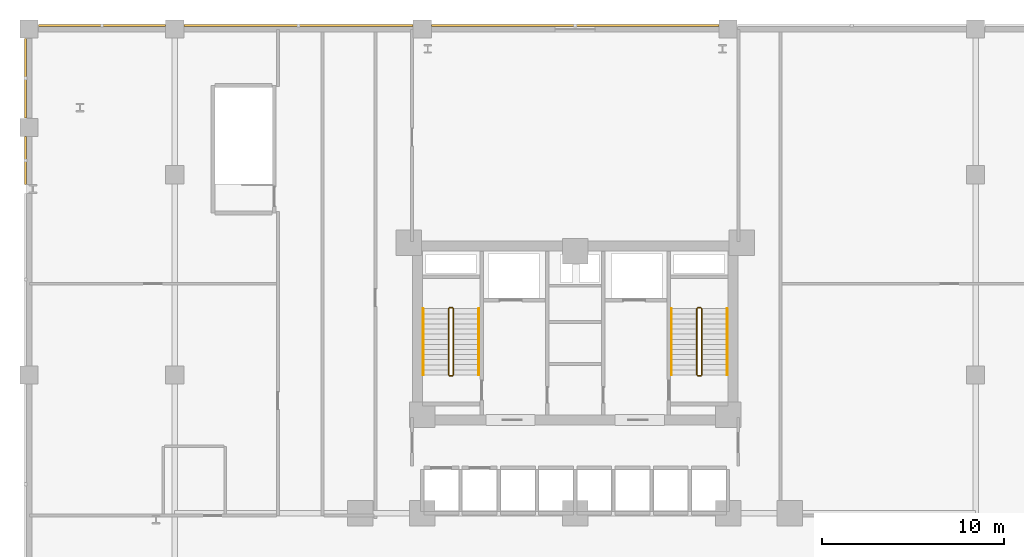
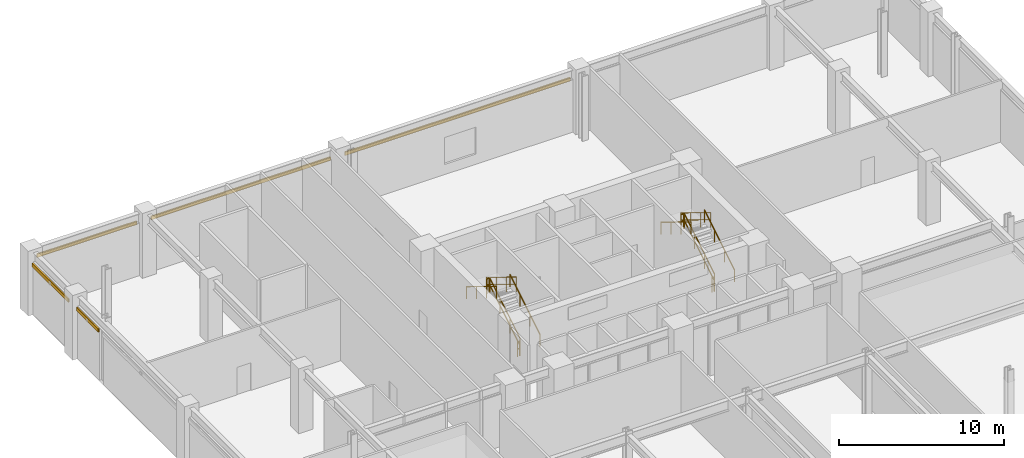
# One storey, part 25 of 26: 12 railings, 5 shading devices.
"""IFC4 building model written with IfcOpenShell, lengths in metres."""

from ifc_helpers import new_model, si_unit, derived_unit, direction, frame, origin, origin_2d, place, context, subcontext, project, spatial, hollow_rectangle, circle, extrude, source, transform, mapped, material, material_profile, profile_set, type_object, element, save


model = new_model("IFC4")

# Units and contexts
model_context = context("Model", 3, precision=1e-05, world=origin(), true_north=direction((0.0, 1.0)))
body_context = subcontext(model_context, "Body", "Model", "MODEL_VIEW")
ifc_project = project(units=[si_unit("LENGTHUNIT", "METRE"), si_unit("AREAUNIT", "SQUARE_METRE"), si_unit("VOLUMEUNIT", "CUBIC_METRE"), si_unit("PLANEANGLEUNIT", "RADIAN"), si_unit("MASSUNIT", "GRAM", prefix="KILO"), derived_unit("THERMALTRANSMITTANCEUNIT", [(si_unit("POWERUNIT", "WATT"), 1), (si_unit("LENGTHUNIT", "METRE"), -2), (si_unit("THERMODYNAMICTEMPERATUREUNIT", "KELVIN"), -1)])], contexts=[model_context])

# Site, building, storey
site_placement = place(None, origin())
site = spatial("IfcSite", under=ifc_project, at=site_placement, CompositionType="ELEMENT")
building_placement = place(site_placement, origin())
building = spatial("IfcBuilding", under=site, at=building_placement, Name="Korsvarv Bourse and Concert Hall", CompositionType="ELEMENT")
storey_placement = place(building_placement, frame((0.0, 0.0, 19.199951171875)))
storey = spatial("IfcBuildingStorey", under=building, at=storey_placement, Name="L04", CompositionType="ELEMENT", Elevation=19.199951171875)

# Railings
ifc_material_1 = material(Name="Painted Steel S355 stair well guardrail", Category="steel")
railing_type_1 = type_object("IfcRailingType", Name="RL-ST-GRD", PredefinedType="GUARDRAIL", material=ifc_material_1)
railing_1_placement = place(storey_placement, frame((29.31005859375, 40.0, 0.17138671875)))
element("IfcRailing", 1, at=railing_1_placement, inside=storey, type_object=railing_type_1, Name="L04 ST-T1 stair guard 1", PredefinedType="GUARDRAIL", context=body_context, shape_type="SweptSolid", body=[
    extrude(circle(Radius=0.02392578125, at=origin_2d()), frame((0.0, 0.0, 1.076171875), z_axis=(0.0, 0.852824790078, 0.522197163366), x_axis=(-1.0, 0.0, 0.0)), (0.0, 0.0, 1.0), 4.26806640625),
    extrude(circle(Radius=0.02392578125, at=origin_2d()), frame((0.0, 0.0, 0.550048828125), z_axis=(0.0, 0.852824790078, 0.522197163366), x_axis=(-1.0, 0.0, 0.0)), (0.0, 0.0, 1.0), 4.26806640625),
    extrude(circle(Radius=0.02099609375, at=origin_2d()), origin(), (0.0, 0.0, 1.0), 1.052001953125),
    extrude(circle(Radius=0.02099609375, at=origin_2d()), frame((0.0, 1.21337890625, 0.742919921875)), (0.0, 0.0, 1.0), 1.052001953125),
    extrude(circle(Radius=0.02099609375, at=origin_2d()), frame((0.0, 2.426513671875, 1.48583984375)), (0.0, 0.0, 1.0), 1.052001953125),
    extrude(circle(Radius=0.02099609375, at=origin_2d()), frame((0.0, 3.639892578125, 2.228759765625)), (0.0, 0.0, 1.0), 1.052001953125),
])
railing_2_placement = place(storey_placement, frame((29.260009765625, 43.68994140625, 2.400146484375)))
element("IfcRailing", 2, at=railing_2_placement, inside=storey, type_object=railing_type_1, Name="L04 ST-T1 stair guard 2", PredefinedType="GUARDRAIL", context=body_context, shape_type="SweptSolid", body=[
    extrude(circle(Radius=0.02392578125, at=origin_2d()), frame((0.0, 0.0, 1.076171875), z_axis=(-1.0, 0.0, 0.0), x_axis=(0.0, -1.0, 0.0)), (0.0, 0.0, 1.0), 0.159912109375),
    extrude(circle(Radius=0.02392578125, at=origin_2d()), frame((0.0, 0.0, 0.550048828125), z_axis=(-1.0, 0.0, 0.0), x_axis=(0.0, -1.0, 0.0)), (0.0, 0.0, 1.0), 0.159912109375),
    extrude(circle(Radius=0.02099609375, at=origin_2d()), origin(), (0.0, 0.0, 1.0), 1.052001953125),
    extrude(circle(Radius=0.02099609375, at=origin_2d()), frame((-0.159912109375, 0.0, 0.0)), (0.0, 0.0, 1.0), 1.052001953125),
])
railing_3_placement = place(storey_placement, frame((29.050048828125, 43.639892578125, 2.571533203125)))
element("IfcRailing", 3, at=railing_3_placement, inside=storey, type_object=railing_type_1, Name="L04 ST-T1 stair guard 3", PredefinedType="GUARDRAIL", context=body_context, shape_type="SweptSolid", body=[
    extrude(circle(Radius=0.02392578125, at=origin_2d()), frame((0.0, 0.0, 1.076171875), z_axis=(0.0, -0.852850264322, 0.5221555579), x_axis=(1.0, 0.0, 0.0)), (0.0, 0.0, 1.0), 4.267822265625),
    extrude(circle(Radius=0.02392578125, at=origin_2d()), frame((0.0, 0.0, 0.550048828125), z_axis=(0.0, -0.852850264322, 0.5221555579), x_axis=(1.0, 0.0, 0.0)), (0.0, 0.0, 1.0), 4.267822265625),
    extrude(circle(Radius=0.02099609375, at=origin_2d()), origin(), (0.0, 0.0, 1.0), 1.052001953125),
    extrude(circle(Radius=0.02099609375, at=origin_2d()), frame((0.0, -1.21337890625, 0.742919921875)), (0.0, 0.0, 1.0), 1.052001953125),
    extrude(circle(Radius=0.02099609375, at=origin_2d()), frame((0.0, -2.426513671875, 1.485595703125)), (0.0, 0.0, 1.0), 1.052001953125),
    extrude(circle(Radius=0.02099609375, at=origin_2d()), frame((0.0, -3.639892578125, 2.228515625)), (0.0, 0.0, 1.0), 1.052001953125),
])
railing_4_placement = place(storey_placement, frame((29.260009765625, 39.949951171875, 0.0)))
element("IfcRailing", 4, at=railing_4_placement, inside=storey, type_object=railing_type_1, Name="L04 ST-T1 stair guard 4", PredefinedType="GUARDRAIL", context=body_context, shape_type="SweptSolid", body=[
    extrude(circle(Radius=0.02392578125, at=origin_2d()), frame((0.0, 0.0, 1.076171875), z_axis=(-1.0, 0.0, 0.0), x_axis=(0.0, -1.0, 0.0)), (0.0, 0.0, 1.0), 0.159912109375),
    extrude(circle(Radius=0.02392578125, at=origin_2d()), frame((0.0, 0.0, 0.550048828125), z_axis=(-1.0, 0.0, 0.0), x_axis=(0.0, -1.0, 0.0)), (0.0, 0.0, 1.0), 0.159912109375),
    extrude(circle(Radius=0.02099609375, at=origin_2d()), origin(), (0.0, 0.0, 1.0), 1.052001953125),
    extrude(circle(Radius=0.02099609375, at=origin_2d()), frame((-0.159912109375, 0.0, 0.0)), (0.0, 0.0, 1.0), 1.052001953125),
])
railing_5_placement = place(storey_placement, frame((42.949951171875, 40.0, 0.17138671875)))
element("IfcRailing", 5, at=railing_5_placement, inside=storey, type_object=railing_type_1, Name="L04 ST-T2 stair guard 1", PredefinedType="GUARDRAIL", context=body_context, shape_type="SweptSolid", body=[
    extrude(circle(Radius=0.02392578125, at=origin_2d()), frame((0.0, 0.0, 1.076171875), z_axis=(0.0, 0.852824790078, 0.522197163366), x_axis=(-1.0, 0.0, 0.0)), (0.0, 0.0, 1.0), 4.26806640625),
    extrude(circle(Radius=0.02392578125, at=origin_2d()), frame((0.0, 0.0, 0.550048828125), z_axis=(0.0, 0.852824790078, 0.522197163366), x_axis=(-1.0, 0.0, 0.0)), (0.0, 0.0, 1.0), 4.26806640625),
    extrude(circle(Radius=0.02099609375, at=origin_2d()), origin(), (0.0, 0.0, 1.0), 1.052001953125),
    extrude(circle(Radius=0.02099609375, at=origin_2d()), frame((0.0, 1.21337890625, 0.742919921875)), (0.0, 0.0, 1.0), 1.052001953125),
    extrude(circle(Radius=0.02099609375, at=origin_2d()), frame((0.0, 2.426513671875, 1.48583984375)), (0.0, 0.0, 1.0), 1.052001953125),
    extrude(circle(Radius=0.02099609375, at=origin_2d()), frame((0.0, 3.639892578125, 2.228759765625)), (0.0, 0.0, 1.0), 1.052001953125),
])
railing_6_placement = place(storey_placement, frame((42.89990234375, 43.68994140625, 2.400146484375)))
element("IfcRailing", 6, at=railing_6_placement, inside=storey, type_object=railing_type_1, Name="L04 ST-T2 stair guard 2", PredefinedType="GUARDRAIL", context=body_context, shape_type="SweptSolid", body=[
    extrude(circle(Radius=0.02392578125, at=origin_2d()), frame((0.0, 0.0, 1.076171875), z_axis=(-1.0, 0.0, 0.0), x_axis=(0.0, -1.0, 0.0)), (0.0, 0.0, 1.0), 0.159912109375),
    extrude(circle(Radius=0.02392578125, at=origin_2d()), frame((0.0, 0.0, 0.550048828125), z_axis=(-1.0, 0.0, 0.0), x_axis=(0.0, -1.0, 0.0)), (0.0, 0.0, 1.0), 0.159912109375),
    extrude(circle(Radius=0.02099609375, at=origin_2d()), origin(), (0.0, 0.0, 1.0), 1.052001953125),
    extrude(circle(Radius=0.02099609375, at=origin_2d()), frame((-0.159912109375, 0.0, 0.0)), (0.0, 0.0, 1.0), 1.052001953125),
])
railing_7_placement = place(storey_placement, frame((42.68994140625, 43.639892578125, 2.571533203125)))
element("IfcRailing", 7, at=railing_7_placement, inside=storey, type_object=railing_type_1, Name="L04 ST-T2 stair guard 3", PredefinedType="GUARDRAIL", context=body_context, shape_type="SweptSolid", body=[
    extrude(circle(Radius=0.02392578125, at=origin_2d()), frame((0.0, 0.0, 1.076171875), z_axis=(0.0, -0.852850264322, 0.5221555579), x_axis=(1.0, 0.0, 0.0)), (0.0, 0.0, 1.0), 4.267822265625),
    extrude(circle(Radius=0.02392578125, at=origin_2d()), frame((0.0, 0.0, 0.550048828125), z_axis=(0.0, -0.852850264322, 0.5221555579), x_axis=(1.0, 0.0, 0.0)), (0.0, 0.0, 1.0), 4.267822265625),
    extrude(circle(Radius=0.02099609375, at=origin_2d()), origin(), (0.0, 0.0, 1.0), 1.052001953125),
    extrude(circle(Radius=0.02099609375, at=origin_2d()), frame((0.0, -1.21337890625, 0.742919921875)), (0.0, 0.0, 1.0), 1.052001953125),
    extrude(circle(Radius=0.02099609375, at=origin_2d()), frame((0.0, -2.426513671875, 1.485595703125)), (0.0, 0.0, 1.0), 1.052001953125),
    extrude(circle(Radius=0.02099609375, at=origin_2d()), frame((0.0, -3.639892578125, 2.228515625)), (0.0, 0.0, 1.0), 1.052001953125),
])
railing_8_placement = place(storey_placement, frame((42.89990234375, 39.949951171875, 0.0)))
element("IfcRailing", 8, at=railing_8_placement, inside=storey, type_object=railing_type_1, Name="L04 ST-T2 stair guard 4", PredefinedType="GUARDRAIL", context=body_context, shape_type="SweptSolid", body=[
    extrude(circle(Radius=0.02392578125, at=origin_2d()), frame((0.0, 0.0, 1.076171875), z_axis=(-1.0, 0.0, 0.0), x_axis=(0.0, -1.0, 0.0)), (0.0, 0.0, 1.0), 0.159912109375),
    extrude(circle(Radius=0.02392578125, at=origin_2d()), frame((0.0, 0.0, 0.550048828125), z_axis=(-1.0, 0.0, 0.0), x_axis=(0.0, -1.0, 0.0)), (0.0, 0.0, 1.0), 0.159912109375),
    extrude(circle(Radius=0.02099609375, at=origin_2d()), origin(), (0.0, 0.0, 1.0), 1.052001953125),
    extrude(circle(Radius=0.02099609375, at=origin_2d()), frame((-0.159912109375, 0.0, 0.0)), (0.0, 0.0, 1.0), 1.052001953125),
])
ifc_material_2 = material(Name="Brushed stainless Steel S355 tubular handrail", Category="steel")
railing_type_2 = type_object("IfcRailingType", Name="RL-ST-HND", PredefinedType="HANDRAIL", material=ifc_material_2)
railing_9_placement = place(storey_placement, frame((30.7099609375, 40.0, 0.17138671875)))
element("IfcRailing", 9, at=railing_9_placement, inside=storey, type_object=railing_type_2, Name="L04 ST-T1 stair handrail 1", PredefinedType="HANDRAIL", context=body_context, shape_type="SweptSolid", body=[
    extrude(circle(Radius=0.02392578125, at=origin_2d()), frame((0.0, 0.0, 0.8759765625), z_axis=(0.0, 0.852824790078, 0.522197163366), x_axis=(-1.0, 0.0, 0.0)), (0.0, 0.0, 1.0), 4.26806640625),
    extrude(circle(Radius=0.02099609375, at=origin_2d()), origin(), (0.0, 0.0, 1.0), 0.851806640625),
    extrude(circle(Radius=0.02099609375, at=origin_2d()), frame((0.0, 1.21337890625, 0.742919921875)), (0.0, 0.0, 1.0), 0.851806640625),
    extrude(circle(Radius=0.02099609375, at=origin_2d()), frame((0.0, 2.426513671875, 1.48583984375)), (0.0, 0.0, 1.0), 0.851806640625),
    extrude(circle(Radius=0.02099609375, at=origin_2d()), frame((0.0, 3.639892578125, 2.228759765625)), (0.0, 0.0, 1.0), 0.851806640625),
])
railing_10_placement = place(storey_placement, frame((27.64990234375, 43.639892578125, 2.571533203125)))
element("IfcRailing", 10, at=railing_10_placement, inside=storey, type_object=railing_type_2, Name="L04 ST-T1 stair handrail 2", PredefinedType="HANDRAIL", context=body_context, shape_type="SweptSolid", body=[
    extrude(circle(Radius=0.02392578125, at=origin_2d()), frame((0.0, 0.0, 0.8759765625), z_axis=(0.0, -0.852850264322, 0.5221555579), x_axis=(1.0, 0.0, 0.0)), (0.0, 0.0, 1.0), 4.267822265625),
    extrude(circle(Radius=0.02099609375, at=origin_2d()), origin(), (0.0, 0.0, 1.0), 0.851806640625),
    extrude(circle(Radius=0.02099609375, at=origin_2d()), frame((0.0, -1.21337890625, 0.742919921875)), (0.0, 0.0, 1.0), 0.851806640625),
    extrude(circle(Radius=0.02099609375, at=origin_2d()), frame((0.0, -2.426513671875, 1.485595703125)), (0.0, 0.0, 1.0), 0.851806640625),
    extrude(circle(Radius=0.02099609375, at=origin_2d()), frame((0.0, -3.639892578125, 2.228515625)), (0.0, 0.0, 1.0), 0.851806640625),
])
railing_11_placement = place(storey_placement, frame((44.35009765625, 40.0, 0.17138671875)))
element("IfcRailing", 11, at=railing_11_placement, inside=storey, type_object=railing_type_2, Name="L04 ST-T2 stair handrail 1", PredefinedType="HANDRAIL", context=body_context, shape_type="SweptSolid", body=[
    extrude(circle(Radius=0.02392578125, at=origin_2d()), frame((0.0, 0.0, 0.8759765625), z_axis=(0.0, 0.852824790078, 0.522197163366), x_axis=(-1.0, 0.0, 0.0)), (0.0, 0.0, 1.0), 4.26806640625),
    extrude(circle(Radius=0.02099609375, at=origin_2d()), origin(), (0.0, 0.0, 1.0), 0.851806640625),
    extrude(circle(Radius=0.02099609375, at=origin_2d()), frame((0.0, 1.21337890625, 0.742919921875)), (0.0, 0.0, 1.0), 0.851806640625),
    extrude(circle(Radius=0.02099609375, at=origin_2d()), frame((0.0, 2.426513671875, 1.48583984375)), (0.0, 0.0, 1.0), 0.851806640625),
    extrude(circle(Radius=0.02099609375, at=origin_2d()), frame((0.0, 3.639892578125, 2.228759765625)), (0.0, 0.0, 1.0), 0.851806640625),
])
railing_12_placement = place(storey_placement, frame((41.2900390625, 43.639892578125, 2.571533203125)))
element("IfcRailing", 12, at=railing_12_placement, inside=storey, type_object=railing_type_2, Name="L04 ST-T2 stair handrail 2", PredefinedType="HANDRAIL", context=body_context, shape_type="SweptSolid", body=[
    extrude(circle(Radius=0.02392578125, at=origin_2d()), frame((0.0, 0.0, 0.8759765625), z_axis=(0.0, -0.852850264322, 0.5221555579), x_axis=(1.0, 0.0, 0.0)), (0.0, 0.0, 1.0), 4.267822265625),
    extrude(circle(Radius=0.02099609375, at=origin_2d()), origin(), (0.0, 0.0, 1.0), 0.851806640625),
    extrude(circle(Radius=0.02099609375, at=origin_2d()), frame((0.0, -1.21337890625, 0.742919921875)), (0.0, 0.0, 1.0), 0.851806640625),
    extrude(circle(Radius=0.02099609375, at=origin_2d()), frame((0.0, -2.426513671875, 1.485595703125)), (0.0, 0.0, 1.0), 0.851806640625),
    extrude(circle(Radius=0.02099609375, at=origin_2d()), frame((0.0, -3.639892578125, 2.228515625)), (0.0, 0.0, 1.0), 0.851806640625),
])

# Shading devices
ifc_material_3 = material(Name="Glazed extruded architectural terracotta", Category="ceramic")
ifc_material_profile = material_profile(ifc_material_3, hollow_rectangle(XDim=0.090087890625, YDim=0.260009765625, WallThickness=0.011962890625, at=origin_2d()), Name="TC-BAG 90x260")
ifc_profile_set = profile_set([ifc_material_profile], Name="Glazed extruded architectural terracotta")
shading_device_type = type_object("IfcShadingDeviceType", Name="SHD-BAG-1", PredefinedType="USERDEFINED", material=ifc_profile_set)
shared_shape_1 = source(origin(), body_context, "Body", "SweptSolid", [
    extrude(hollow_rectangle(XDim=0.090087890625, YDim=0.260009765625, WallThickness=0.011962890625, at=origin_2d()), origin(), (0.0, 0.0, 1.0), 12.590087890625),
])
shading_device_1_placement = place(storey_placement, frame((27.094970703125, 59.195068359375, 3.719970703125), z_axis=(-1.0, 0.0, 0.0), x_axis=(0.0, -1.0, 0.0)))
element("IfcShadingDevice", 13, at=shading_device_1_placement, inside=storey, type_object=shading_device_type, Name="L04 terracotta baguette sunshade EW-L04-G5-4", ObjectType="BAGUETTE", PredefinedType="USERDEFINED", context=body_context, shape_type="MappedRepresentation", body=[
    mapped(shared_shape_1, transform((0.0, 0.0, 0.0), scale=1.0)),
])
shared_shape_2 = source(origin(), body_context, "Body", "SweptSolid", [
    extrude(hollow_rectangle(XDim=0.090087890625, YDim=0.260009765625, WallThickness=0.011962890625, at=origin_2d()), origin(), (0.0, 0.0, 1.0), 6.990234375),
])
shading_device_2_placement = place(storey_placement, frame((13.4951171875, 59.195068359375, 3.719970703125), z_axis=(-1.0, 0.0, 0.0), x_axis=(0.0, -1.0, 0.0)))
element("IfcShadingDevice", 14, at=shading_device_2_placement, inside=storey, type_object=shading_device_type, Name="L04 terracotta baguette sunshade EW-L04-G5-5", ObjectType="BAGUETTE", PredefinedType="USERDEFINED", context=body_context, shape_type="MappedRepresentation", body=[
    mapped(shared_shape_2, transform((0.0, 0.0, 0.0), scale=1.0)),
])
shared_shape_3 = source(origin(), body_context, "Body", "SweptSolid", [
    extrude(hollow_rectangle(XDim=0.090087890625, YDim=0.260009765625, WallThickness=0.011962890625, at=origin_2d()), origin(), (0.0, 0.0, 1.0), 15.7900390625),
])
shading_device_3_placement = place(storey_placement, frame((43.89501953125, 59.195068359375, 3.719970703125), z_axis=(-1.0, 0.0, 0.0), x_axis=(0.0, -1.0, 0.0)))
element("IfcShadingDevice", 15, at=shading_device_3_placement, inside=storey, type_object=shading_device_type, Name="L04 terracotta baguette sunshade EW-L04-G5-3", ObjectType="BAGUETTE", PredefinedType="USERDEFINED", context=body_context, shape_type="MappedRepresentation", body=[
    mapped(shared_shape_3, transform((0.0, 0.0, 0.0), scale=1.0)),
])
shared_shape_4 = source(origin(), body_context, "Body", "SweptSolid", [
    extrude(hollow_rectangle(XDim=0.090087890625, YDim=0.260009765625, WallThickness=0.011962890625, at=origin_2d()), origin(), (0.0, 0.0, 1.0), 2.6357421875),
])
shading_device_4_placement = place(storey_placement, frame((5.804931640625, 53.094970703125, 3.719970703125), z_axis=(0.0, -1.0, 0.0), x_axis=(1.0, 0.0, 0.0)))
element("IfcShadingDevice", 16, at=shading_device_4_placement, inside=storey, type_object=shading_device_type, Name="L04 terracotta baguette sunshade EW-L04-G6-2", ObjectType="BAGUETTE", PredefinedType="USERDEFINED", context=body_context, shape_type="MappedRepresentation", body=[
    mapped(shared_shape_4, transform((0.0, 0.0, 0.0), scale=1.0)),
])
shared_shape_5 = source(origin(), body_context, "Body", "SweptSolid", [
    extrude(hollow_rectangle(XDim=0.090087890625, YDim=0.260009765625, WallThickness=0.011962890625, at=origin_2d()), origin(), (0.0, 0.0, 1.0), 4.39013671875),
])
shading_device_5_placement = place(storey_placement, frame((5.804931640625, 58.4951171875, 3.719970703125), z_axis=(0.0, -1.0, 0.0), x_axis=(1.0, 0.0, 0.0)))
element("IfcShadingDevice", 17, at=shading_device_5_placement, inside=storey, type_object=shading_device_type, Name="L04 terracotta baguette sunshade EW-L04-G6-1", ObjectType="BAGUETTE", PredefinedType="USERDEFINED", context=body_context, shape_type="MappedRepresentation", body=[
    mapped(shared_shape_5, transform((0.0, 0.0, 0.0), scale=1.0)),
])

save(model, "model.ifc")
